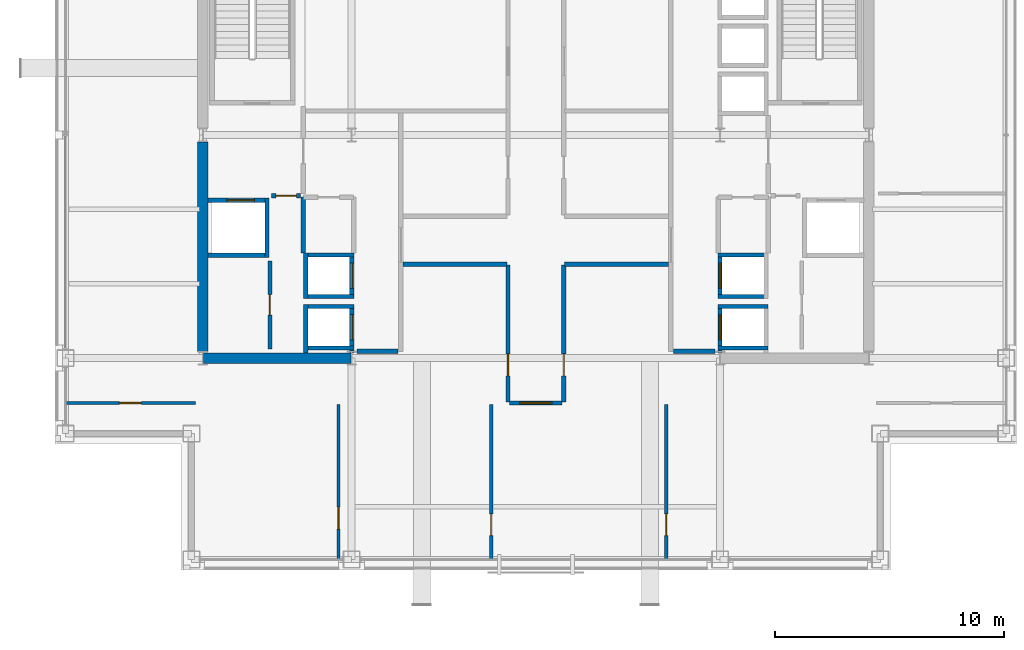
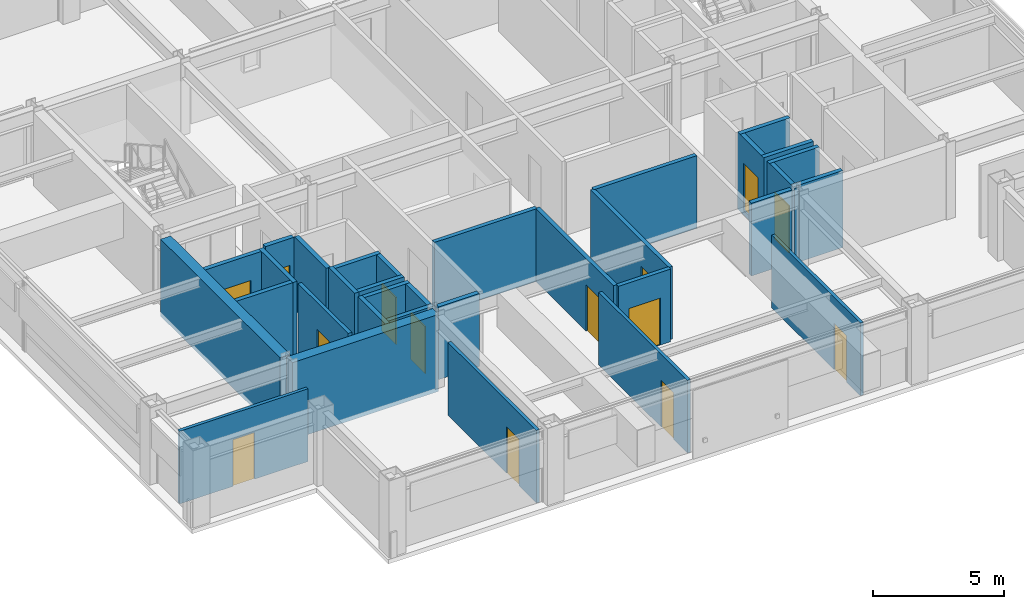
# One storey, part 24 of 28: 33 walls, 14 doors, 14 openings.
"""IFC4 building model written with IfcOpenShell, lengths in metres."""

from ifc_helpers import new_model, si_unit, direction, frame, frame_2d, origin, place, context, subcontext, project, spatial, rectangle, extrude, material, layer, layer_set, type_object, element, fill, save


model = new_model("IFC4")

# Units and contexts
model_context = context("Model", 3, precision=1e-05, world=origin(), true_north=direction((0.0, 1.0)))
body_context = subcontext(model_context, "Body", "Model", "MODEL_VIEW")
ifc_project = project(units=[si_unit("LENGTHUNIT", "METRE"), si_unit("AREAUNIT", "SQUARE_METRE"), si_unit("VOLUMEUNIT", "CUBIC_METRE"), si_unit("PLANEANGLEUNIT", "RADIAN"), si_unit("MASSUNIT", "GRAM", prefix="KILO")], contexts=[model_context])

# Site, building, storey
site_placement = place(None, origin())
site = spatial("IfcSite", under=ifc_project, at=site_placement, CompositionType="ELEMENT")
building_placement = place(site_placement, origin())
building = spatial("IfcBuilding", under=site, at=building_placement, Name="Brelmoor Portico Tower", CompositionType="ELEMENT")
storey_placement = place(building_placement, frame((0.0, 0.0, 155.10009765625)))
storey = spatial("IfcBuildingStorey", under=building, at=storey_placement, Name="L40", CompositionType="ELEMENT", Elevation=155.10009765625)

# Walls
ifc_material_1 = material(Name="Concrete C50", Category="concrete")
ifc_layer_1 = layer(ifc_material_1, 0.449951171875)
ifc_layer_set_1 = layer_set([ifc_layer_1], Name="Concrete C50")
wall_type_1 = type_object("IfcWallType", Name="WL-CORE-450", PredefinedType="SHEAR", material=ifc_layer_set_1)
wall_1_placement = place(storey_placement, frame((-14.530029296875, -9.75, -0.2001953125), z_axis=(0.0, 0.0, 1.0), x_axis=(1.0, 0.0, 0.0)))
element("IfcWall", 1, at=wall_1_placement, inside=storey, type_object=wall_type_1, Name="L40 WC South Shear Wall", PredefinedType="SHEAR", context=body_context, shape_type="SweptSolid", body=[
    extrude(rectangle(XDim=6.4599609375, YDim=0.449951171875, at=frame_2d((3.22998046875, 0.0))), origin(), (0.0, 0.0, 1.0), 3.60009765625),
])
wall_2_placement = place(storey_placement, frame((-14.550048828125, -9.449951171875, -0.2001953125), z_axis=(0.0, 0.0, 1.0), x_axis=(0.0, 1.0, 0.0)))
element("IfcWall", 2, at=wall_2_placement, inside=storey, type_object=wall_type_1, Name="L40 WC Outer South Shear Wall", PredefinedType="SHEAR", context=body_context, shape_type="SweptSolid", body=[
    extrude(rectangle(XDim=9.14990234375, YDim=0.449951171875, at=frame_2d((4.574951171875, 0.0))), origin(), (0.0, 0.0, 1.0), 3.60009765625),
])

# Wall, opening, door
ifc_material_2 = material(Name="Insulated Stud Suite Partition", Category="gypsum")
ifc_layer_2 = layer(ifc_material_2, 0.139892578125)
ifc_layer_set_2 = layer_set([ifc_layer_2], Name="Insulated Stud Suite Partition")
wall_type_2 = type_object("IfcWallType", Name="WL-PART-140", PredefinedType="PARTITIONING", material=ifc_layer_set_2)
wall_3_placement = place(storey_placement, frame((-8.624267578125, -18.56005859375, 0.0), z_axis=(0.0, 0.0, 1.0), x_axis=(0.0, 1.0, 0.0)))
wall_3 = element("IfcWall", 3, at=wall_3_placement, inside=storey, type_object=wall_type_2, Name="L40 South Suite Partition 1", PredefinedType="PARTITIONING", context=body_context, shape_type="SweptSolid", body=[
    extrude(rectangle(XDim=6.7900390625, YDim=0.139892578125, at=frame_2d((3.39501953125, 0.0))), origin(), (0.0, 0.0, 1.0), 3.39990234375),
])
opening_1_placement = place(wall_3_placement, frame((1.340087890625, 0.0, 0.0)))
opening_1 = element("IfcOpeningElement", 4, at=opening_1_placement, cuts=wall_3, Name="Opening D-IN2", PredefinedType="OPENING", context=body_context, shape_type="SweptSolid", body=[
    extrude(rectangle(XDim=0.9599609375, YDim=2.179931640625, at=frame_2d((0.47998046875, 1.08984375))), frame((0.0, 0.079833984375, 0.0), z_axis=(0.0, -1.0, 0.0), x_axis=(1.0, 0.0, 0.0)), (0.0, 0.0, 1.0), 0.159912109375),
])
ifc_material_3 = material(Name="Lacquered Timber Suite Door", Category="wood")
door_type_1 = type_object("IfcDoorType", Name="DR-INT-950", OperationType="NOTDEFINED", PredefinedType="DOOR", material=ifc_material_3)
door_1_placement = place(opening_1_placement, origin())
door_1 = element("IfcDoor", 5, at=door_1_placement, inside=storey, type_object=door_type_1, Name="D-1729 L40 South Suite Connecting Door 1", OperationType="SINGLE_SWING_LEFT", OverallHeight=2.179931640625, OverallWidth=0.9599609375, PredefinedType="DOOR", context=body_context, shape_type="SweptSolid", body=[
    extrude(rectangle(XDim=0.9599609375, YDim=2.179931640625, at=frame_2d((0.47998046875, 1.08984375))), frame((0.0, 0.02490234375, 0.0), z_axis=(0.0, -1.0, 0.0), x_axis=(1.0, 0.0, 0.0)), (0.0, 0.0, 1.0), 0.050048828125),
])
fill(opening_1, door_1)

wall_4_placement = place(storey_placement, frame((-1.947509765625, -18.56005859375, 0.0), z_axis=(0.0, 0.0, 1.0), x_axis=(0.0, 1.0, 0.0)))
wall_4 = element("IfcWall", 6, at=wall_4_placement, inside=storey, type_object=wall_type_2, Name="L40 South Suite Partition 2", PredefinedType="PARTITIONING", context=body_context, shape_type="SweptSolid", body=[
    extrude(rectangle(XDim=6.7900390625, YDim=0.139892578125, at=frame_2d((3.39501953125, 0.0))), origin(), (0.0, 0.0, 1.0), 3.39990234375),
])
opening_2_placement = place(wall_4_placement, frame((1.050048828125, 0.0, 0.0)))
opening_2 = element("IfcOpeningElement", 7, at=opening_2_placement, cuts=wall_4, Name="Opening D-IN2", PredefinedType="OPENING", context=body_context, shape_type="SweptSolid", body=[
    extrude(rectangle(XDim=0.9599609375, YDim=2.179931640625, at=frame_2d((0.47998046875, 1.08984375))), frame((0.0, 0.079833984375, 0.0), z_axis=(0.0, -1.0, 0.0), x_axis=(1.0, 0.0, 0.0)), (0.0, 0.0, 1.0), 0.159912109375),
])
door_2_placement = place(opening_2_placement, origin())
door_2 = element("IfcDoor", 8, at=door_2_placement, inside=storey, type_object=door_type_1, Name="D-1730 L40 South Suite Connecting Door 2", OperationType="SINGLE_SWING_RIGHT", OverallHeight=2.179931640625, OverallWidth=0.9599609375, PredefinedType="DOOR", context=body_context, shape_type="SweptSolid", body=[
    extrude(rectangle(XDim=0.9599609375, YDim=2.179931640625, at=frame_2d((0.47998046875, 1.08984375))), frame((0.0, 0.02490234375, 0.0), z_axis=(0.0, -1.0, 0.0), x_axis=(1.0, 0.0, 0.0)), (0.0, 0.0, 1.0), 0.050048828125),
])
fill(opening_2, door_2)

wall_5_placement = place(storey_placement, frame((5.699951171875, -18.56005859375, 0.0), z_axis=(0.0, 0.0, 1.0), x_axis=(0.0, 1.0, 0.0)))
wall_5 = element("IfcWall", 9, at=wall_5_placement, inside=storey, type_object=wall_type_2, Name="L40 South Suite Partition 3", PredefinedType="PARTITIONING", context=body_context, shape_type="SweptSolid", body=[
    extrude(rectangle(XDim=6.7900390625, YDim=0.139892578125, at=frame_2d((3.39501953125, 0.0))), origin(), (0.0, 0.0, 1.0), 3.39990234375),
])
opening_3_placement = place(wall_5_placement, frame((1.050048828125, 0.0, 0.0)))
opening_3 = element("IfcOpeningElement", 10, at=opening_3_placement, cuts=wall_5, Name="Opening D-IN2", PredefinedType="OPENING", context=body_context, shape_type="SweptSolid", body=[
    extrude(rectangle(XDim=0.9599609375, YDim=2.179931640625, at=frame_2d((0.47998046875, 1.08984375))), frame((0.0, 0.079833984375, 0.0), z_axis=(0.0, -1.0, 0.0), x_axis=(1.0, 0.0, 0.0)), (0.0, 0.0, 1.0), 0.159912109375),
])
door_3_placement = place(opening_3_placement, origin())
door_3 = element("IfcDoor", 11, at=door_3_placement, inside=storey, type_object=door_type_1, Name="D-1731 L40 South Suite Connecting Door 3", OperationType="SINGLE_SWING_LEFT", OverallHeight=2.179931640625, OverallWidth=0.9599609375, PredefinedType="DOOR", context=body_context, shape_type="SweptSolid", body=[
    extrude(rectangle(XDim=0.9599609375, YDim=2.179931640625, at=frame_2d((0.47998046875, 1.08984375))), frame((0.0, 0.02490234375, 0.0), z_axis=(0.0, -1.0, 0.0), x_axis=(1.0, 0.0, 0.0)), (0.0, 0.0, 1.0), 0.050048828125),
])
fill(opening_3, door_3)

wall_6_placement = place(storey_placement, frame((-20.56005859375, -11.7099609375, 0.0), z_axis=(0.0, 0.0, 1.0), x_axis=(1.0, 0.0, 0.0)))
wall_6 = element("IfcWall", 12, at=wall_6_placement, inside=storey, type_object=wall_type_2, Name="L40 South Wing Closure WL", PredefinedType="PARTITIONING", context=body_context, shape_type="SweptSolid", body=[
    extrude(rectangle(XDim=5.68017578125, YDim=0.139892578125, at=frame_2d((2.840087890625, 0.0))), origin(), (0.0, 0.0, 1.0), 3.39990234375),
])
opening_4_placement = place(wall_6_placement, frame((2.360107421875, 0.0, 0.0)))
opening_4 = element("IfcOpeningElement", 13, at=opening_4_placement, cuts=wall_6, Name="Opening D-IN2", PredefinedType="OPENING", context=body_context, shape_type="SweptSolid", body=[
    extrude(rectangle(XDim=0.9599609375, YDim=2.179931640625, at=frame_2d((0.47998046875, 1.08984375))), frame((0.0, 0.079833984375, 0.0), z_axis=(0.0, -1.0, 0.0), x_axis=(1.0, 0.0, 0.0)), (0.0, 0.0, 1.0), 0.159912109375),
])
door_4_placement = place(opening_4_placement, origin())
door_4 = element("IfcDoor", 14, at=door_4_placement, inside=storey, type_object=door_type_1, Name="D-1735 L40 WL Wing South Suite Door", OperationType="SINGLE_SWING_RIGHT", OverallHeight=2.179931640625, OverallWidth=0.9599609375, PredefinedType="DOOR", context=body_context, shape_type="SweptSolid", body=[
    extrude(rectangle(XDim=0.9599609375, YDim=2.179931640625, at=frame_2d((0.47998046875, 1.08984375))), frame((0.0, 0.02490234375, 0.0), z_axis=(0.0, -1.0, 0.0), x_axis=(1.0, 0.0, 0.0)), (0.0, 0.0, 1.0), 0.050048828125),
])
fill(opening_4, door_4)

ifc_material_4 = material(Name="Twin-Frame Acoustic Partition", Category="gypsum")
ifc_layer_3 = layer(ifc_material_4, 0.159912109375)
ifc_layer_set_3 = layer_set([ifc_layer_3], Name="Twin-Frame Acoustic Partition")
wall_type_3 = type_object("IfcWallType", Name="WL-PART-160", PredefinedType="PARTITIONING", material=ifc_layer_set_3)
wall_7_placement = place(storey_placement, frame((-11.6201171875, -9.35009765625, 0.0), z_axis=(0.0, 0.0, 1.0), x_axis=(0.0, 1.0, 0.0)))
wall_7 = element("IfcWall", 15, at=wall_7_placement, inside=storey, type_object=wall_type_3, Name="L40 W Core Service Front Wall", PredefinedType="PARTITIONING", context=body_context, shape_type="SweptSolid", body=[
    extrude(rectangle(XDim=3.85009765625, YDim=0.159912109375, at=frame_2d((1.925048828125, 0.0))), origin(), (0.0, 0.0, 1.0), 3.39990234375),
])
opening_5_placement = place(wall_7_placement, frame((1.47509765625, 0.0, 0.0)))
opening_5 = element("IfcOpeningElement", 16, at=opening_5_placement, cuts=wall_7, Name="Opening D-IN1", PredefinedType="OPENING", context=body_context, shape_type="SweptSolid", body=[
    extrude(rectangle(XDim=0.89990234375, YDim=2.14990234375, at=frame_2d((0.449951171875, 1.074951171875))), frame((0.0, 0.08984375, 0.0), z_axis=(0.0, -1.0, 0.0), x_axis=(1.0, 0.0, 0.0)), (0.0, 0.0, 1.0), 0.179931640625),
])
door_type_2 = type_object("IfcDoorType", Name="DR-INT-900", OperationType="NOTDEFINED", PredefinedType="DOOR", material=ifc_material_3)
door_5_placement = place(opening_5_placement, origin())
door_5 = element("IfcDoor", 17, at=door_5_placement, inside=storey, type_object=door_type_2, Name="D-1717 L40 W Accessible WC Door", OperationType="SINGLE_SWING_RIGHT", OverallHeight=2.14990234375, OverallWidth=0.89990234375, PredefinedType="DOOR", context=body_context, shape_type="SweptSolid", body=[
    extrude(rectangle(XDim=0.89990234375, YDim=2.14990234375, at=frame_2d((0.449951171875, 1.074951171875))), frame((0.0, 0.02490234375, 0.0), z_axis=(0.0, -1.0, 0.0), x_axis=(1.0, 0.0, 0.0)), (0.0, 0.0, 1.0), 0.050048828125),
])
fill(opening_5, door_5)

ifc_material_5 = material(Name="Acoustic Corridor Fire Partition", Category="gypsum")
ifc_layer_4 = layer(ifc_material_5, 0.179931640625)
ifc_layer_set_4 = layer_set([ifc_layer_4], Name="Acoustic Corridor Fire Partition")
wall_type_4 = type_object("IfcWallType", Name="WL-PART-180", PredefinedType="PARTITIONING", material=ifc_layer_set_4)
wall_8_placement = place(storey_placement, frame((-1.219970703125, -11.669921875, 0.0), z_axis=(0.0, 0.0, 1.0), x_axis=(0.0, 1.0, 0.0)))
wall_8 = element("IfcWall", 18, at=wall_8_placement, inside=storey, type_object=wall_type_4, Name="L40 South Cross West Wall", PredefinedType="PARTITIONING", context=body_context, shape_type="SweptSolid", body=[
    extrude(rectangle(XDim=5.989990234375, YDim=0.179931640625, at=frame_2d((2.9951171875, 0.0))), origin(), (0.0, 0.0, 1.0), 3.39990234375),
])
opening_6_placement = place(wall_8_placement, frame((1.14990234375, 0.0, 0.0)))
opening_6 = element("IfcOpeningElement", 19, at=opening_6_placement, cuts=wall_8, Name="Opening D-IN2", PredefinedType="OPENING", context=body_context, shape_type="SweptSolid", body=[
    extrude(rectangle(XDim=0.9599609375, YDim=2.179931640625, at=frame_2d((0.47998046875, 1.08984375))), frame((0.0, 0.099853515625, 0.0), z_axis=(0.0, -1.0, 0.0), x_axis=(1.0, 0.0, 0.0)), (0.0, 0.0, 1.0), 0.199951171875),
])
door_6_placement = place(opening_6_placement, origin())
door_6 = element("IfcDoor", 20, at=door_6_placement, inside=storey, type_object=door_type_1, Name="D-1711 L40 South-West Archive Room Door", OperationType="SINGLE_SWING_LEFT", OverallHeight=2.179931640625, OverallWidth=0.9599609375, PredefinedType="DOOR", context=body_context, shape_type="SweptSolid", body=[
    extrude(rectangle(XDim=0.9599609375, YDim=2.179931640625, at=frame_2d((0.47998046875, 1.08984375))), frame((0.0, 0.02490234375, 0.0), z_axis=(0.0, -1.0, 0.0), x_axis=(1.0, 0.0, 0.0)), (0.0, 0.0, 1.0), 0.050048828125),
])
fill(opening_6, door_6)

wall_9_placement = place(storey_placement, frame((1.219970703125, -11.669921875, 0.0), z_axis=(0.0, 0.0, 1.0), x_axis=(0.0, 1.0, 0.0)))
wall_9 = element("IfcWall", 21, at=wall_9_placement, inside=storey, type_object=wall_type_4, Name="L40 South Cross East Wall", PredefinedType="PARTITIONING", context=body_context, shape_type="SweptSolid", body=[
    extrude(rectangle(XDim=5.989990234375, YDim=0.179931640625, at=frame_2d((2.9951171875, 0.0))), origin(), (0.0, 0.0, 1.0), 3.39990234375),
])
opening_7_placement = place(wall_9_placement, frame((1.14990234375, 0.0, 0.0)))
opening_7 = element("IfcOpeningElement", 22, at=opening_7_placement, cuts=wall_9, Name="Opening D-IN2", PredefinedType="OPENING", context=body_context, shape_type="SweptSolid", body=[
    extrude(rectangle(XDim=0.9599609375, YDim=2.179931640625, at=frame_2d((0.47998046875, 1.08984375))), frame((0.0, 0.099853515625, 0.0), z_axis=(0.0, -1.0, 0.0), x_axis=(1.0, 0.0, 0.0)), (0.0, 0.0, 1.0), 0.199951171875),
])
door_7_placement = place(opening_7_placement, origin())
door_7 = element("IfcDoor", 23, at=door_7_placement, inside=storey, type_object=door_type_1, Name="D-1710 L40 South-East Partner Office Door", OperationType="SINGLE_SWING_RIGHT", OverallHeight=2.179931640625, OverallWidth=0.9599609375, PredefinedType="DOOR", context=body_context, shape_type="SweptSolid", body=[
    extrude(rectangle(XDim=0.9599609375, YDim=2.179931640625, at=frame_2d((0.47998046875, 1.08984375))), frame((0.0, 0.02490234375, 0.0), z_axis=(0.0, -1.0, 0.0), x_axis=(1.0, 0.0, 0.0)), (0.0, 0.0, 1.0), 0.050048828125),
])
fill(opening_7, door_7)

# Walls
for number, where, z_axis, x_axis, name in (
    (24, (-5.800048828125, -5.64990234375, 0.0), (0.0, 0.0, 1.0), (1.0, 0.0, 0.0), "L40 South-West Chamber Top Wall"),
    (25, (1.260009765625, -5.64990234375, 0.0), (0.0, 0.0, 1.0), (1.0, 0.0, 0.0), "L40 South-East Chamber Top Wall"),
):
    element("IfcWall", number, at=place(storey_placement, frame(where, z_axis=z_axis, x_axis=x_axis)), inside=storey, type_object=wall_type_4, Name=name, PredefinedType="PARTITIONING", context=body_context, shape_type="SweptSolid", body=[
        extrude(rectangle(XDim=4.5400390625, YDim=0.179931640625, at=frame_2d((2.27001953125, 0.0))), origin(), (0.0, 0.0, 1.0), 3.39990234375),
    ])

# Wall, opening, door
wall_10_placement = place(storey_placement, frame((-1.14990234375, -11.7099609375, 0.0), z_axis=(0.0, 0.0, 1.0), x_axis=(1.0, 0.0, 0.0)))
wall_10 = element("IfcWall", 26, at=wall_10_placement, inside=storey, type_object=wall_type_4, Name="L40 South Corridor Partition", PredefinedType="PARTITIONING", context=body_context, shape_type="SweptSolid", body=[
    extrude(rectangle(XDim=2.2998046875, YDim=0.179931640625, at=frame_2d((1.14990234375, 0.0))), origin(), (0.0, 0.0, 1.0), 3.39990234375),
])
opening_8_placement = place(wall_10_placement, frame((0.449951171875, 0.0, 0.0)))
opening_8 = element("IfcOpeningElement", 27, at=opening_8_placement, cuts=wall_10, Name="Opening D-SU2", PredefinedType="OPENING", context=body_context, shape_type="SweptSolid", body=[
    extrude(rectangle(XDim=1.39990234375, YDim=2.199951171875, at=frame_2d((0.699951171875, 1.10009765625))), frame((0.0, 0.099853515625, 0.0), z_axis=(0.0, -1.0, 0.0), x_axis=(1.0, 0.0, 0.0)), (0.0, 0.0, 1.0), 0.199951171875),
])
ifc_material_6 = material(Name="Double-Leaf Acoustic Suite Door", Category="timber")
door_type_3 = type_object("IfcDoorType", Name="DR-SUITE-1400", OperationType="NOTDEFINED", PredefinedType="DOOR", material=ifc_material_6)
door_8_placement = place(opening_8_placement, origin())
door_8 = element("IfcDoor", 28, at=door_8_placement, inside=storey, type_object=door_type_3, Name="D-1728 L40 South Reading Library 3 Door", OperationType="DOUBLE_DOOR_SINGLE_SWING", OverallHeight=2.199951171875, OverallWidth=1.39990234375, PredefinedType="DOOR", context=body_context, shape_type="SweptSolid", body=[
    extrude(rectangle(XDim=1.39990234375, YDim=2.199951171875, at=frame_2d((0.699951171875, 1.10009765625))), frame((0.0, 0.02490234375, 0.0), z_axis=(0.0, -1.0, 0.0), x_axis=(1.0, 0.0, 0.0)), (0.0, 0.0, 1.0), 0.050048828125),
])
fill(opening_8, door_8)

# Wall
ifc_material_7 = material(Name="Double-Stud Gypsum Fire Partition", Category="gypsum")
ifc_layer_5 = layer(ifc_material_7, 0.199951171875)
ifc_layer_set_5 = layer_set([ifc_layer_5], Name="Double-Stud Gypsum Fire Partition")
wall_type_5 = type_object("IfcWallType", Name="WL-PART-200", PredefinedType="PARTITIONING", material=ifc_layer_set_5)
wall_11_placement = place(storey_placement, frame((-6.02001953125, -9.449951171875, 0.0), z_axis=(0.0, 0.0, 1.0), x_axis=(-1.0, 0.0, 0.0)))
element("IfcWall", 29, at=wall_11_placement, inside=storey, type_object=wall_type_5, Name="L40 W Lift Lobby South End Wall", PredefinedType="PARTITIONING", context=body_context, shape_type="SweptSolid", body=[
    extrude(rectangle(XDim=1.800048828125, YDim=0.199951171875, at=frame_2d((0.89990234375, 0.0))), origin(), (0.0, 0.0, 1.0), 3.39990234375),
])

# Wall, opening, door
wall_12_placement = place(storey_placement, frame((-10.280029296875, -2.64990234375, 0.0), z_axis=(0.0, 0.0, 1.0), x_axis=(-1.0, 0.0, 0.0)))
wall_12 = element("IfcWall", 30, at=wall_12_placement, inside=storey, type_object=wall_type_5, Name="L40 W Firefighting Lobby South Wall", PredefinedType="PARTITIONING", context=body_context, shape_type="SweptSolid", body=[
    extrude(rectangle(XDim=1.27001953125, YDim=0.199951171875, at=frame_2d((0.635009765625, 0.0))), origin(), (0.0, 0.0, 1.0), 3.39990234375),
])
opening_9_placement = place(wall_12_placement, frame((0.18505859375, 0.0, 0.0)))
opening_9 = element("IfcOpeningElement", 31, at=opening_9_placement, cuts=wall_12, Name="Opening D-IN1", PredefinedType="OPENING", context=body_context, shape_type="SweptSolid", body=[
    extrude(rectangle(XDim=0.89990234375, YDim=2.14990234375, at=frame_2d((0.449951171875, 1.074951171875))), frame((0.0, 0.10986328125, 0.0), z_axis=(0.0, -1.0, 0.0), x_axis=(1.0, 0.0, 0.0)), (0.0, 0.0, 1.0), 0.219970703125),
])
door_9_placement = place(opening_9_placement, origin())
door_9 = element("IfcDoor", 32, at=door_9_placement, inside=storey, type_object=door_type_2, Name="D-1716 L40 W Core Service Vestibule Door", OperationType="SINGLE_SWING_RIGHT", OverallHeight=2.14990234375, OverallWidth=0.89990234375, PredefinedType="DOOR", context=body_context, shape_type="SweptSolid", body=[
    extrude(rectangle(XDim=0.89990234375, YDim=2.14990234375, at=frame_2d((0.449951171875, 1.074951171875))), frame((0.0, 0.02490234375, 0.0), z_axis=(0.0, -1.0, 0.0), x_axis=(1.0, 0.0, 0.0)), (0.0, 0.0, 1.0), 0.050048828125),
])
fill(opening_9, door_9)

# Walls
wall_13_placement = place(storey_placement, frame((-10.159912109375, -5.159912109375, 0.0), z_axis=(0.0, 0.0, 1.0), x_axis=(0.0, 1.0, 0.0)))
element("IfcWall", 33, at=wall_13_placement, inside=storey, type_object=wall_type_5, Name="L40 W Electrical Switchgear Closet Outer Wall", PredefinedType="PARTITIONING", context=body_context, shape_type="SweptSolid", body=[
    extrude(rectangle(XDim=2.43994140625, YDim=0.199951171875, at=frame_2d((1.219970703125, 0.0))), origin(), (0.0, 0.0, 1.0), 3.39990234375),
])
wall_14_placement = place(storey_placement, frame((6.02001953125, -9.449951171875, 0.0), z_axis=(0.0, 0.0, 1.0), x_axis=(1.0, 0.0, 0.0)))
element("IfcWall", 34, at=wall_14_placement, inside=storey, type_object=wall_type_5, Name="L40 E Lift Lobby South End Wall", PredefinedType="PARTITIONING", context=body_context, shape_type="SweptSolid", body=[
    extrude(rectangle(XDim=1.800048828125, YDim=0.199951171875, at=frame_2d((0.89990234375, 0.0))), origin(), (0.0, 0.0, 1.0), 3.39990234375),
])

# Wall, opening, door
ifc_material_8 = material(Name="Precast Concrete C40", Category="concrete")
ifc_layer_6 = layer(ifc_material_8, 0.18994140625)
ifc_layer_set_6 = layer_set([ifc_layer_6], Name="Precast Concrete C40")
wall_type_6 = type_object("IfcWallType", Name="WL-SHAFT-180", PredefinedType="SOLIDWALL", material=ifc_layer_set_6)
wall_15_placement = place(storey_placement, frame((-8.044921875, -9.52001953125, -0.2001953125), z_axis=(0.0, 0.0, 1.0), x_axis=(0.0, 1.0, 0.0)))
wall_15 = element("IfcWall", 35, at=wall_15_placement, inside=storey, type_object=wall_type_6, Name="L40 Lift PH1 Hoistway Front Wall", PredefinedType="SOLIDWALL", context=body_context, shape_type="SweptSolid", body=[
    extrude(rectangle(XDim=2.1201171875, YDim=0.18994140625, at=frame_2d((1.06005859375, 0.0))), origin(), (0.0, 0.0, 1.0), 3.60009765625),
])
opening_10_placement = place(wall_15_placement, frame((0.570068359375, 0.0, 0.199951171875)))
opening_10 = element("IfcOpeningElement", 36, at=opening_10_placement, cuts=wall_15, Name="Opening LD-01", PredefinedType="OPENING", context=body_context, shape_type="SweptSolid", body=[
    extrude(rectangle(XDim=1.10009765625, YDim=2.199951171875, at=frame_2d((0.550048828125, 1.10009765625))), frame((0.0, 0.10498046875, 0.0), z_axis=(0.0, -1.0, 0.0), x_axis=(1.0, 0.0, 0.0)), (0.0, 0.0, 1.0), 0.2099609375),
])
ifc_material_9 = material(Name="Brushed Stainless Steel Sliding Lift Door", Category="steel")
door_type_4 = type_object("IfcDoorType", Name="DR-LIFT-1100", OperationType="NOTDEFINED", PredefinedType="DOOR", material=ifc_material_9)
door_10_placement = place(opening_10_placement, origin())
door_10 = element("IfcDoor", 37, at=door_10_placement, inside=storey, type_object=door_type_4, Name="D-1739 L40 Lift PH1 Sliding Landing Door", OperationType="SLIDING_TO_LEFT", OverallHeight=2.199951171875, OverallWidth=1.10009765625, PredefinedType="DOOR", context=body_context, shape_type="SweptSolid", body=[
    extrude(rectangle(XDim=1.10009765625, YDim=2.199951171875, at=frame_2d((0.550048828125, 1.10009765625))), frame((0.0, 0.02490234375, 0.0), z_axis=(0.0, -1.0, 0.0), x_axis=(1.0, 0.0, 0.0)), (0.0, 0.0, 1.0), 0.050048828125),
])
fill(opening_10, door_10)

# Walls
wall_16_placement = place(storey_placement, frame((-10.054931640625, -9.52001953125, -0.2001953125), z_axis=(0.0, 0.0, 1.0), x_axis=(0.0, 1.0, 0.0)))
element("IfcWall", 38, at=wall_16_placement, inside=storey, type_object=wall_type_6, Name="L40 Lift PH1 Hoistway Back Wall", PredefinedType="SOLIDWALL", context=body_context, shape_type="SweptSolid", body=[
    extrude(rectangle(XDim=2.1201171875, YDim=0.18994140625, at=frame_2d((1.06005859375, 0.0))), origin(), (0.0, 0.0, 1.0), 3.60009765625),
])
for number, where, z_axis, x_axis, name in (
    (39, (-10.14990234375, -7.4951171875, -0.2001953125), (0.0, 0.0, 1.0), (1.0, 0.0, 0.0), "L40 Lift PH1 Hoistway North Wall"),
    (40, (-10.14990234375, -9.304931640625, -0.2001953125), (0.0, 0.0, 1.0), (1.0, 0.0, 0.0), "L40 Lift PH1 Hoistway South Wall"),
):
    element("IfcWall", number, at=place(storey_placement, frame(where, z_axis=z_axis, x_axis=x_axis)), inside=storey, type_object=wall_type_6, Name=name, PredefinedType="SOLIDWALL", context=body_context, shape_type="SweptSolid", body=[
        extrude(rectangle(XDim=2.199951171875, YDim=0.18994140625, at=frame_2d((1.10009765625, 0.0))), origin(), (0.0, 0.0, 1.0), 3.60009765625),
    ])

# Wall, opening, door
wall_17_placement = place(storey_placement, frame((-8.044921875, -7.14990234375, -0.2001953125), z_axis=(0.0, 0.0, 1.0), x_axis=(0.0, 1.0, 0.0)))
wall_17 = element("IfcWall", 41, at=wall_17_placement, inside=storey, type_object=wall_type_6, Name="L40 Lift PH2 Hoistway Front Wall", PredefinedType="SOLIDWALL", context=body_context, shape_type="SweptSolid", body=[
    extrude(rectangle(XDim=2.0, YDim=0.18994140625, at=frame_2d((1.0, 0.0))), origin(), (0.0, 0.0, 1.0), 3.60009765625),
])
opening_11_placement = place(wall_17_placement, frame((0.449951171875, 0.0, 0.199951171875)))
opening_11 = element("IfcOpeningElement", 42, at=opening_11_placement, cuts=wall_17, Name="Opening LD-01", PredefinedType="OPENING", context=body_context, shape_type="SweptSolid", body=[
    extrude(rectangle(XDim=1.10009765625, YDim=2.199951171875, at=frame_2d((0.550048828125, 1.10009765625))), frame((0.0, 0.10498046875, 0.0), z_axis=(0.0, -1.0, 0.0), x_axis=(1.0, 0.0, 0.0)), (0.0, 0.0, 1.0), 0.2099609375),
])
door_11_placement = place(opening_11_placement, origin())
door_11 = element("IfcDoor", 43, at=door_11_placement, inside=storey, type_object=door_type_4, Name="D-1740 L40 Lift PH2 Sliding Landing Door", OperationType="SLIDING_TO_LEFT", OverallHeight=2.199951171875, OverallWidth=1.10009765625, PredefinedType="DOOR", context=body_context, shape_type="SweptSolid", body=[
    extrude(rectangle(XDim=1.10009765625, YDim=2.199951171875, at=frame_2d((0.550048828125, 1.10009765625))), frame((0.0, 0.02490234375, 0.0), z_axis=(0.0, -1.0, 0.0), x_axis=(1.0, 0.0, 0.0)), (0.0, 0.0, 1.0), 0.050048828125),
])
fill(opening_11, door_11)

# Walls
wall_18_placement = place(storey_placement, frame((-10.054931640625, -7.14990234375, -0.2001953125), z_axis=(0.0, 0.0, 1.0), x_axis=(0.0, 1.0, 0.0)))
element("IfcWall", 44, at=wall_18_placement, inside=storey, type_object=wall_type_6, Name="L40 Lift PH2 Hoistway Back Wall", PredefinedType="SOLIDWALL", context=body_context, shape_type="SweptSolid", body=[
    extrude(rectangle(XDim=2.0, YDim=0.18994140625, at=frame_2d((1.0, 0.0))), origin(), (0.0, 0.0, 1.0), 3.60009765625),
])
for number, where, z_axis, x_axis, name in (
    (45, (-10.14990234375, -5.2451171875, -0.2001953125), (0.0, 0.0, 1.0), (1.0, 0.0, 0.0), "L40 Lift PH2 Hoistway North Wall"),
    (46, (-10.14990234375, -7.054931640625, -0.2001953125), (0.0, 0.0, 1.0), (1.0, 0.0, 0.0), "L40 Lift PH2 Hoistway South Wall"),
):
    element("IfcWall", number, at=place(storey_placement, frame(where, z_axis=z_axis, x_axis=x_axis)), inside=storey, type_object=wall_type_6, Name=name, PredefinedType="SOLIDWALL", context=body_context, shape_type="SweptSolid", body=[
        extrude(rectangle(XDim=2.199951171875, YDim=0.18994140625, at=frame_2d((1.10009765625, 0.0))), origin(), (0.0, 0.0, 1.0), 3.60009765625),
    ])

# Wall, opening, door
wall_19_placement = place(storey_placement, frame((8.044921875, -9.52001953125, -0.2001953125), z_axis=(0.0, 0.0, 1.0), x_axis=(0.0, 1.0, 0.0)))
wall_19 = element("IfcWall", 47, at=wall_19_placement, inside=storey, type_object=wall_type_6, Name="L40 Lift PH3 Hoistway Front Wall", PredefinedType="SOLIDWALL", context=body_context, shape_type="SweptSolid", body=[
    extrude(rectangle(XDim=2.1201171875, YDim=0.18994140625, at=frame_2d((1.06005859375, 0.0))), origin(), (0.0, 0.0, 1.0), 3.60009765625),
])
opening_12_placement = place(wall_19_placement, frame((0.570068359375, 0.0, 0.199951171875)))
opening_12 = element("IfcOpeningElement", 48, at=opening_12_placement, cuts=wall_19, Name="Opening LD-01", PredefinedType="OPENING", context=body_context, shape_type="SweptSolid", body=[
    extrude(rectangle(XDim=1.10009765625, YDim=2.199951171875, at=frame_2d((0.550048828125, 1.10009765625))), frame((0.0, 0.10498046875, 0.0), z_axis=(0.0, -1.0, 0.0), x_axis=(1.0, 0.0, 0.0)), (0.0, 0.0, 1.0), 0.2099609375),
])
door_12_placement = place(opening_12_placement, origin())
door_12 = element("IfcDoor", 49, at=door_12_placement, inside=storey, type_object=door_type_4, Name="D-1741 L40 Lift PH3 Sliding Landing Door", OperationType="SLIDING_TO_LEFT", OverallHeight=2.199951171875, OverallWidth=1.10009765625, PredefinedType="DOOR", context=body_context, shape_type="SweptSolid", body=[
    extrude(rectangle(XDim=1.10009765625, YDim=2.199951171875, at=frame_2d((0.550048828125, 1.10009765625))), frame((0.0, 0.02490234375, 0.0), z_axis=(0.0, -1.0, 0.0), x_axis=(1.0, 0.0, 0.0)), (0.0, 0.0, 1.0), 0.050048828125),
])
fill(opening_12, door_12)

# Walls
for number, where, z_axis, x_axis, name in (
    (50, (7.949951171875, -7.4951171875, -0.2001953125), (0.0, 0.0, 1.0), (1.0, 0.0, 0.0), "L40 Lift PH3 Hoistway North Wall"),
    (51, (7.949951171875, -9.304931640625, -0.2001953125), (0.0, 0.0, 1.0), (1.0, 0.0, 0.0), "L40 Lift PH3 Hoistway South Wall"),
):
    element("IfcWall", number, at=place(storey_placement, frame(where, z_axis=z_axis, x_axis=x_axis)), inside=storey, type_object=wall_type_6, Name=name, PredefinedType="SOLIDWALL", context=body_context, shape_type="SweptSolid", body=[
        extrude(rectangle(XDim=2.199951171875, YDim=0.18994140625, at=frame_2d((1.10009765625, 0.0))), origin(), (0.0, 0.0, 1.0), 3.60009765625),
    ])

# Wall, opening, door
wall_20_placement = place(storey_placement, frame((8.044921875, -7.14990234375, -0.2001953125), z_axis=(0.0, 0.0, 1.0), x_axis=(0.0, 1.0, 0.0)))
wall_20 = element("IfcWall", 52, at=wall_20_placement, inside=storey, type_object=wall_type_6, Name="L40 Lift PH4 Hoistway Front Wall", PredefinedType="SOLIDWALL", context=body_context, shape_type="SweptSolid", body=[
    extrude(rectangle(XDim=2.0, YDim=0.18994140625, at=frame_2d((1.0, 0.0))), origin(), (0.0, 0.0, 1.0), 3.60009765625),
])
opening_13_placement = place(wall_20_placement, frame((0.449951171875, 0.0, 0.199951171875)))
opening_13 = element("IfcOpeningElement", 53, at=opening_13_placement, cuts=wall_20, Name="Opening LD-01", PredefinedType="OPENING", context=body_context, shape_type="SweptSolid", body=[
    extrude(rectangle(XDim=1.10009765625, YDim=2.199951171875, at=frame_2d((0.550048828125, 1.10009765625))), frame((0.0, 0.10498046875, 0.0), z_axis=(0.0, -1.0, 0.0), x_axis=(1.0, 0.0, 0.0)), (0.0, 0.0, 1.0), 0.2099609375),
])
door_13_placement = place(opening_13_placement, origin())
door_13 = element("IfcDoor", 54, at=door_13_placement, inside=storey, type_object=door_type_4, Name="D-1742 L40 Lift PH4 Sliding Landing Door", OperationType="SLIDING_TO_LEFT", OverallHeight=2.199951171875, OverallWidth=1.10009765625, PredefinedType="DOOR", context=body_context, shape_type="SweptSolid", body=[
    extrude(rectangle(XDim=1.10009765625, YDim=2.199951171875, at=frame_2d((0.550048828125, 1.10009765625))), frame((0.0, 0.02490234375, 0.0), z_axis=(0.0, -1.0, 0.0), x_axis=(1.0, 0.0, 0.0)), (0.0, 0.0, 1.0), 0.050048828125),
])
fill(opening_13, door_13)

# Walls
for number, where, z_axis, x_axis, name in (
    (55, (7.949951171875, -5.2451171875, -0.2001953125), (0.0, 0.0, 1.0), (1.0, 0.0, 0.0), "L40 Lift PH4 Hoistway North Wall"),
    (56, (7.949951171875, -7.054931640625, -0.2001953125), (0.0, 0.0, 1.0), (1.0, 0.0, 0.0), "L40 Lift PH4 Hoistway South Wall"),
):
    element("IfcWall", number, at=place(storey_placement, frame(where, z_axis=z_axis, x_axis=x_axis)), inside=storey, type_object=wall_type_6, Name=name, PredefinedType="SOLIDWALL", context=body_context, shape_type="SweptSolid", body=[
        extrude(rectangle(XDim=2.199951171875, YDim=0.18994140625, at=frame_2d((1.10009765625, 0.0))), origin(), (0.0, 0.0, 1.0), 3.60009765625),
    ])

# Wall, opening, door
wall_21_placement = place(storey_placement, frame((-14.330078125, -2.844970703125, -0.2001953125), z_axis=(0.0, 0.0, 1.0), x_axis=(1.0, 0.0, 0.0)))
wall_21 = element("IfcWall", 57, at=wall_21_placement, inside=storey, type_object=wall_type_6, Name="L40 Lift FF1 Hoistway Front Wall", PredefinedType="SOLIDWALL", context=body_context, shape_type="SweptSolid", body=[
    extrude(rectangle(XDim=2.68017578125, YDim=0.18994140625, at=frame_2d((1.340087890625, 0.0))), origin(), (0.0, 0.0, 1.0), 3.60009765625),
])
opening_14_placement = place(wall_21_placement, frame((0.830078125, 0.0, 0.199951171875)))
opening_14 = element("IfcOpeningElement", 58, at=opening_14_placement, cuts=wall_21, Name="Opening LD-02", PredefinedType="OPENING", context=body_context, shape_type="SweptSolid", body=[
    extrude(rectangle(XDim=1.199951171875, YDim=2.199951171875, at=frame_2d((0.60009765625, 1.10009765625))), frame((0.0, 0.10498046875, 0.0), z_axis=(0.0, -1.0, 0.0), x_axis=(1.0, 0.0, 0.0)), (0.0, 0.0, 1.0), 0.2099609375),
])
ifc_material_10 = material(Name="Brushed Stainless Steel Firefighting Lift Door", Category="steel")
door_type_5 = type_object("IfcDoorType", Name="DR-LIFT-1200", OperationType="NOTDEFINED", PredefinedType="DOOR", material=ifc_material_10)
door_14_placement = place(opening_14_placement, origin())
door_14 = element("IfcDoor", 59, at=door_14_placement, inside=storey, type_object=door_type_5, Name="D-1737 L40 Lift FF1 Sliding Landing Door", OperationType="SLIDING_TO_LEFT", OverallHeight=2.199951171875, OverallWidth=1.199951171875, PredefinedType="DOOR", context=body_context, shape_type="SweptSolid", body=[
    extrude(rectangle(XDim=1.199951171875, YDim=2.199951171875, at=frame_2d((0.60009765625, 1.10009765625))), frame((0.0, 0.02490234375, 0.0), z_axis=(0.0, -1.0, 0.0), x_axis=(1.0, 0.0, 0.0)), (0.0, 0.0, 1.0), 0.050048828125),
])
fill(opening_14, door_14)

# Walls
wall_22_placement = place(storey_placement, frame((-14.330078125, -5.2548828125, -0.2001953125), z_axis=(0.0, 0.0, 1.0), x_axis=(1.0, 0.0, 0.0)))
element("IfcWall", 60, at=wall_22_placement, inside=storey, type_object=wall_type_6, Name="L40 Firefighting Lift FF1 South Wall", PredefinedType="SOLIDWALL", context=body_context, shape_type="SweptSolid", body=[
    extrude(rectangle(XDim=2.68017578125, YDim=0.18994140625, at=frame_2d((1.340087890625, 0.0))), origin(), (0.0, 0.0, 1.0), 3.60009765625),
])
wall_23_placement = place(storey_placement, frame((-11.7451171875, -5.35009765625, -0.2001953125), z_axis=(0.0, 0.0, 1.0), x_axis=(0.0, 1.0, 0.0)))
element("IfcWall", 61, at=wall_23_placement, inside=storey, type_object=wall_type_6, Name="L40 Firefighting Lift FF1 Inner Wall", PredefinedType="SOLIDWALL", context=body_context, shape_type="SweptSolid", body=[
    extrude(rectangle(XDim=2.60009765625, YDim=0.18994140625, at=frame_2d((1.300048828125, 0.0))), origin(), (0.0, 0.0, 1.0), 3.60009765625),
])

save(model, "model.ifc")
